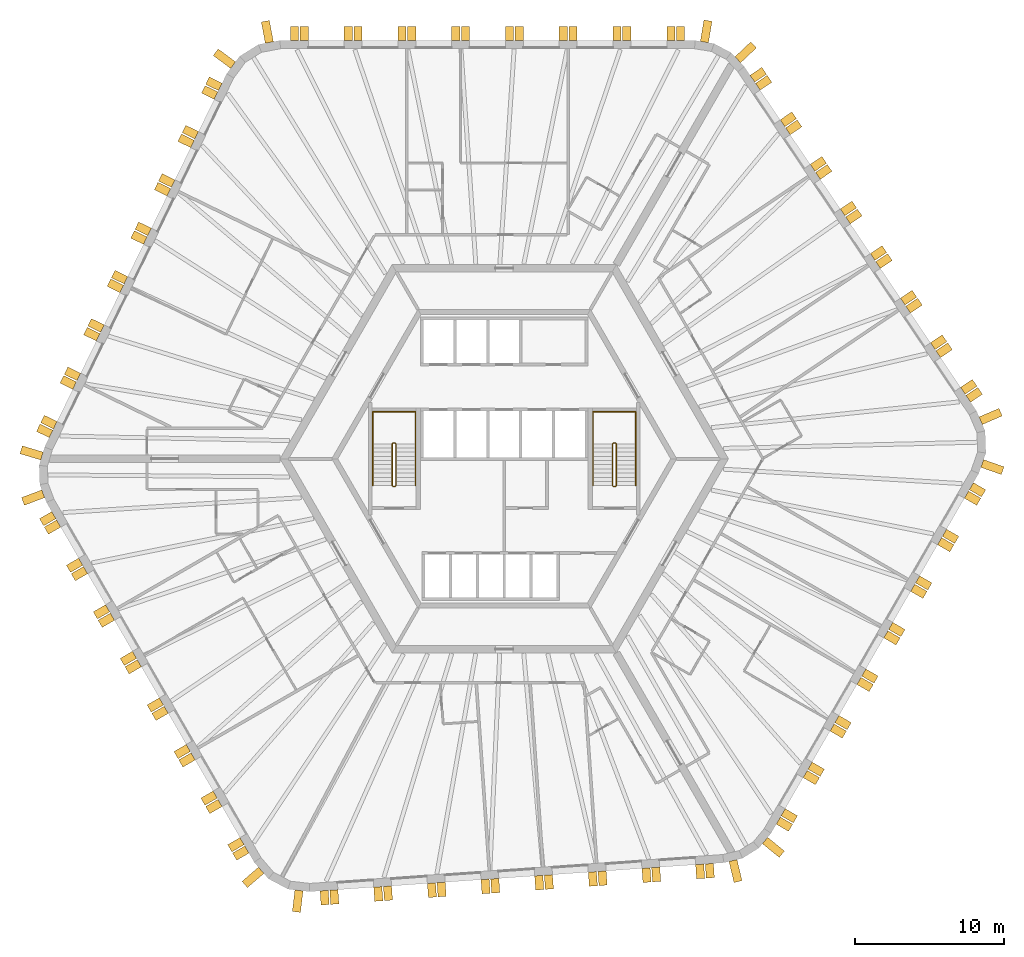
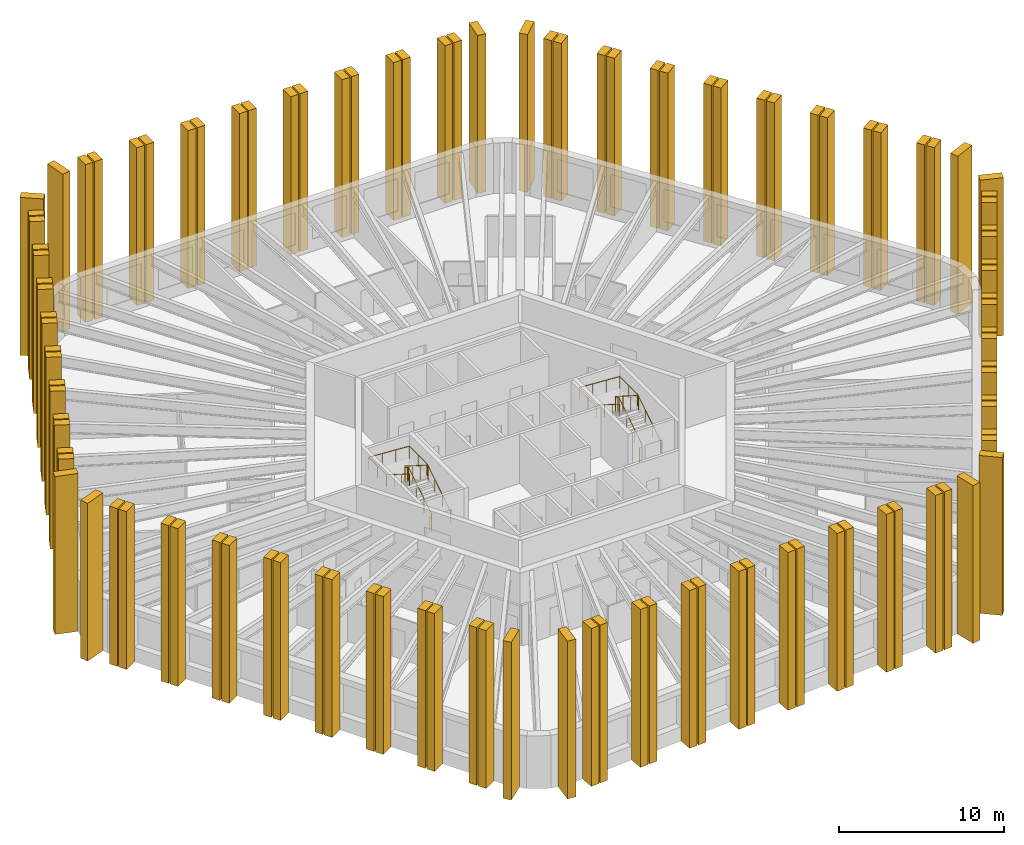
# One storey, part 10 of 10: 108 shading devices, 4 railings.
"""IFC4 building model written with IfcOpenShell, lengths in metres."""

from ifc_helpers import new_model, si_unit, direction, frame, origin, origin_2d, place, context, subcontext, project, spatial, polyline, circle, outline, extrude, material, layer, layer_set, type_object, element, save


model = new_model("IFC4")

# Units and contexts
model_context = context("Model", 3, precision=1e-05, world=origin(), true_north=direction((0.0, 1.0)))
body_context = subcontext(model_context, "Body", "Model", "MODEL_VIEW")
ifc_project = project(units=[si_unit("LENGTHUNIT", "METRE"), si_unit("AREAUNIT", "SQUARE_METRE"), si_unit("VOLUMEUNIT", "CUBIC_METRE"), si_unit("PLANEANGLEUNIT", "RADIAN"), si_unit("MASSUNIT", "GRAM", prefix="KILO")], contexts=[model_context])

# Site, building, storey
site_placement = place(None, origin())
site = spatial("IfcSite", under=ifc_project, at=site_placement, CompositionType="ELEMENT")
building_placement = place(site_placement, origin())
building = spatial("IfcBuilding", under=site, at=building_placement, Name="Tarnside Tower", CompositionType="ELEMENT")
storey_placement = place(building_placement, frame((0.0, 0.0, 195.60009765625)))
storey = spatial("IfcBuildingStorey", under=building, at=storey_placement, Name="L46", CompositionType="ELEMENT", Elevation=195.60009765625)

# Shading devices
ifc_material_1 = material(Name="Concrete C50/60 white precast", Category="concrete")
ifc_layer_1 = layer(ifc_material_1, 0.550048828125)
ifc_layer_set_1 = layer_set([ifc_layer_1], Name="Precast fin 550 x 1450")
shading_device_type_1 = type_object("IfcShadingDeviceType", Name="Precast fin 550 x 1450", PredefinedType="USERDEFINED", material=ifc_layer_set_1)
for number, where, z_axis, x_axis, name in (
    (1, (-15.725341796875, 27.86767578125, -0.150146484375), (0.982720646705, 0.18509492305, 0.0), (-0.18509492305, 0.982720646705, 0.0), "Precast fin"),
    (2, (-18.15380859375, 26.35009765625, -0.150146484375), (0.597158591707, 0.802123192752, 0.0), (-0.802123192752, 0.597158591707, 0.0), "Precast fin"),
    (3, (-30.949951171875, 0.184326171875, -0.150146484375), (0.286803232717, 0.957989512314, 0.0), (-0.957989512314, 0.286803232717, 0.0), "Precast fin"),
    (4, (-30.861572265625, -2.343017578125, -0.150146484375), (-0.352930564719, 0.935649515837, 0.0), (-0.935649515837, -0.352930564719, 0.0), "Precast fin"),
    (5, (-16.271484375, -27.55224609375, -0.150146484375), (-0.651657228826, 0.758513583345, 0.0), (-0.758513583345, -0.651657228826, 0.0), "Precast fin"),
    (6, (-13.7431640625, -28.896728515625, -0.150146484375), (-0.993238357741, 0.116092914131, 0.0), (-0.116092914131, -0.993238357741, 0.0), "Precast fin"),
    (7, (15.315185546875, -26.8955078125, -0.150146484375), (-0.973044870581, -0.230615870737, 0.0), (0.230615870737, -0.973044870581, 0.0), "Precast fin"),
    (8, (17.4599609375, -25.555419921875, -0.150146484375), (-0.633830967394, -0.773471592738, 0.0), (0.773471592738, -0.633830967394, 0.0), "Precast fin"),
    (9, (31.996826171875, -0.315185546875, -0.150146484375), (-0.331063417879, -0.943608506396, 0.0), (0.943608506396, -0.331063417879, 0.0), "Precast fin"),
    (10, (31.896728515625, 2.54638671875, -0.150146484375), (0.396079766034, -0.918216106883, 0.0), (0.918216106883, 0.396079766034, 0.0), "Precast fin"),
    (11, (15.634765625, 26.711181640625, -0.150146484375), (0.686241637865, -0.727373641577, 0.0), (0.727373641577, 0.686241637865, 0.0), "Precast fin"),
    (12, (13.40185546875, 27.8984375, -0.150146484375), (0.986761532114, -0.1621779231, 0.0), (0.1621779231, 0.986761532114, 0.0), "Precast fin"),
):
    element("IfcShadingDevice", number, at=place(storey_placement, frame(where, z_axis=z_axis, x_axis=x_axis)), inside=storey, type_object=shading_device_type_1, Name=name, ObjectType="FIN", PredefinedType="USERDEFINED", context=body_context, shape_type="SweptSolid", body=[
        extrude(outline(polyline([(0.0, 0.0), (1.449951171875, 0.0), (1.449951171875, 11.699951171875), (0.0, 11.699951171875), (0.0, 0.0)])), frame((0.0, 0.0, -0.27490234375)), (0.0, 0.0, 1.0), 0.550048828125),
    ])
ifc_layer_2 = layer(ifc_material_1, 0.550048828125)
ifc_layer_set_2 = layer_set([ifc_layer_2], Name="Precast fin 550 x 950")
shading_device_type_2 = type_object("IfcShadingDeviceType", Name="Precast fin 550 x 950", PredefinedType="USERDEFINED", material=ifc_layer_set_2)
for number, where, z_axis, x_axis, name in (
    (13, (11.80712890625, 28.0, -0.150146484375), (1.0, 0.0, 0.0), (0.0, 1.0, 0.0), "Precast fin"),
    (14, (11.1572265625, 28.0, -0.150146484375), (1.0, 0.0, 0.0), (0.0, 1.0, 0.0), "Precast fin"),
    (15, (8.20703125, 28.0, -0.150146484375), (1.0, 0.0, 0.0), (0.0, 1.0, 0.0), "Precast fin"),
    (16, (7.55712890625, 28.0, -0.150146484375), (1.0, 0.0, 0.0), (0.0, 1.0, 0.0), "Precast fin"),
    (17, (4.607177734375, 28.0, -0.150146484375), (1.0, 0.0, 0.0), (0.0, 1.0, 0.0), "Precast fin"),
    (18, (3.95703125, 28.0, -0.150146484375), (1.0, 0.0, 0.0), (0.0, 1.0, 0.0), "Precast fin"),
    (19, (1.007080078125, 28.0, -0.150146484375), (1.0, 0.0, 0.0), (0.0, 1.0, 0.0), "Precast fin"),
    (20, (0.357177734375, 28.0, -0.150146484375), (1.0, 0.0, 0.0), (0.0, 1.0, 0.0), "Precast fin"),
    (21, (-2.5927734375, 28.0, -0.150146484375), (1.0, 0.0, 0.0), (0.0, 1.0, 0.0), "Precast fin"),
    (22, (-3.242919921875, 28.0, -0.150146484375), (1.0, 0.0, 0.0), (0.0, 1.0, 0.0), "Precast fin"),
    (23, (-6.19287109375, 28.0, -0.150146484375), (1.0, 0.0, 0.0), (0.0, 1.0, 0.0), "Precast fin"),
    (24, (-6.8427734375, 28.0, -0.150146484375), (1.0, 0.0, 0.0), (0.0, 1.0, 0.0), "Precast fin"),
    (25, (-9.79296875, 28.0, -0.150146484375), (1.0, 0.0, 0.0), (0.0, 1.0, 0.0), "Precast fin"),
    (26, (-10.44287109375, 28.0, -0.150146484375), (1.0, 0.0, 0.0), (0.0, 1.0, 0.0), "Precast fin"),
    (27, (-13.392822265625, 28.0, -0.150146484375), (1.0, 0.0, 0.0), (0.0, 1.0, 0.0), "Precast fin"),
    (28, (-14.04296875, 28.0, -0.150146484375), (1.0, 0.0, 0.0), (0.0, 1.0, 0.0), "Precast fin"),
    (29, (-19.01025390625, 24.896240234375, -0.150146484375), (0.438371146789, 0.898794046299, 0.0), (-0.898794046299, 0.438371146789, 0.0), "Precast fin"),
    (30, (-19.295166015625, 24.31201171875, -0.150146484375), (0.438371146789, 0.898794046299, 0.0), (-0.898794046299, 0.438371146789, 0.0), "Precast fin"),
    (31, (-20.58837890625, 21.660400390625, -0.150146484375), (0.438371146789, 0.898794046299, 0.0), (-0.898794046299, 0.438371146789, 0.0), "Precast fin"),
    (32, (-20.873291015625, 21.076171875, -0.150146484375), (0.438371146789, 0.898794046299, 0.0), (-0.898794046299, 0.438371146789, 0.0), "Precast fin"),
    (33, (-22.16650390625, 18.4248046875, -0.150146484375), (0.438371146789, 0.898794046299, 0.0), (-0.898794046299, 0.438371146789, 0.0), "Precast fin"),
    (34, (-22.451416015625, 17.840576171875, -0.150146484375), (0.438371146789, 0.898794046299, 0.0), (-0.898794046299, 0.438371146789, 0.0), "Precast fin"),
    (35, (-23.74462890625, 15.189208984375, -0.150146484375), (0.438371146789, 0.898794046299, 0.0), (-0.898794046299, 0.438371146789, 0.0), "Precast fin"),
    (36, (-24.029541015625, 14.60498046875, -0.150146484375), (0.438371146789, 0.898794046299, 0.0), (-0.898794046299, 0.438371146789, 0.0), "Precast fin"),
    (37, (-25.32275390625, 11.953369140625, -0.150146484375), (0.438371146789, 0.898794046299, 0.0), (-0.898794046299, 0.438371146789, 0.0), "Precast fin"),
    (38, (-25.607666015625, 11.369384765625, -0.150146484375), (0.438371146789, 0.898794046299, 0.0), (-0.898794046299, 0.438371146789, 0.0), "Precast fin"),
    (39, (-26.90087890625, 8.7177734375, -0.150146484375), (0.438371146789, 0.898794046299, 0.0), (-0.898794046299, 0.438371146789, 0.0), "Precast fin"),
    (40, (-27.185791015625, 8.133544921875, -0.150146484375), (0.438371146789, 0.898794046299, 0.0), (-0.898794046299, 0.438371146789, 0.0), "Precast fin"),
    (41, (-28.47900390625, 5.482177734375, -0.150146484375), (0.438371146789, 0.898794046299, 0.0), (-0.898794046299, 0.438371146789, 0.0), "Precast fin"),
    (42, (-28.763916015625, 4.89794921875, -0.150146484375), (0.438371146789, 0.898794046299, 0.0), (-0.898794046299, 0.438371146789, 0.0), "Precast fin"),
    (43, (-30.05712890625, 2.24658203125, -0.150146484375), (0.438371146789, 0.898794046299, 0.0), (-0.898794046299, 0.438371146789, 0.0), "Precast fin"),
    (44, (-30.342041015625, 1.662353515625, -0.150146484375), (0.438371146789, 0.898794046299, 0.0), (-0.898794046299, 0.438371146789, 0.0), "Precast fin"),
    (45, (-30.15234375, -3.774658203125, -0.150146484375), (-0.5, 0.866025403784, 0.0), (-0.866025403784, -0.5, 0.0), "Precast fin"),
    (46, (-29.827392578125, -4.337646484375, -0.150146484375), (-0.5, 0.866025403784, 0.0), (-0.866025403784, -0.5, 0.0), "Precast fin"),
    (47, (-28.352294921875, -6.892333984375, -0.150146484375), (-0.5, 0.866025403784, 0.0), (-0.866025403784, -0.5, 0.0), "Precast fin"),
    (48, (-28.02734375, -7.455322265625, -0.150146484375), (-0.5, 0.866025403784, 0.0), (-0.866025403784, -0.5, 0.0), "Precast fin"),
    (49, (-26.55224609375, -10.010009765625, -0.150146484375), (-0.5, 0.866025403784, 0.0), (-0.866025403784, -0.5, 0.0), "Precast fin"),
    (50, (-26.227294921875, -10.572998046875, -0.150146484375), (-0.5, 0.866025403784, 0.0), (-0.866025403784, -0.5, 0.0), "Precast fin"),
    (51, (-24.752197265625, -13.127685546875, -0.150146484375), (-0.5, 0.866025403784, 0.0), (-0.866025403784, -0.5, 0.0), "Precast fin"),
    (52, (-24.42724609375, -13.690673828125, -0.150146484375), (-0.5, 0.866025403784, 0.0), (-0.866025403784, -0.5, 0.0), "Precast fin"),
    (53, (-22.952392578125, -16.24560546875, -0.150146484375), (-0.5, 0.866025403784, 0.0), (-0.866025403784, -0.5, 0.0), "Precast fin"),
    (54, (-22.627197265625, -16.808349609375, -0.150146484375), (-0.5, 0.866025403784, 0.0), (-0.866025403784, -0.5, 0.0), "Precast fin"),
    (55, (-21.15234375, -19.36328125, -0.150146484375), (-0.5, 0.866025403784, 0.0), (-0.866025403784, -0.5, 0.0), "Precast fin"),
    (56, (-20.827392578125, -19.926025390625, -0.150146484375), (-0.5, 0.866025403784, 0.0), (-0.866025403784, -0.5, 0.0), "Precast fin"),
    (57, (-19.352294921875, -22.48095703125, -0.150146484375), (-0.5, 0.866025403784, 0.0), (-0.866025403784, -0.5, 0.0), "Precast fin"),
    (58, (-19.02734375, -23.043701171875, -0.150146484375), (-0.5, 0.866025403784, 0.0), (-0.866025403784, -0.5, 0.0), "Precast fin"),
    (59, (-17.55224609375, -25.5986328125, -0.150146484375), (-0.5, 0.866025403784, 0.0), (-0.866025403784, -0.5, 0.0), "Precast fin"),
    (60, (-17.227294921875, -26.161376953125, -0.150146484375), (-0.5, 0.866025403784, 0.0), (-0.866025403784, -0.5, 0.0), "Precast fin"),
    (61, (-12.0556640625, -28.911376953125, -0.150146484375), (-0.99756405026, -0.069756473744, 0.0), (0.069756473744, -0.99756405026, 0.0), "Precast fin"),
    (62, (-11.4072265625, -28.865966796875, -0.150146484375), (-0.99756405026, -0.069756473744, 0.0), (0.069756473744, -0.99756405026, 0.0), "Precast fin"),
    (63, (-8.46435546875, -28.66015625, -0.150146484375), (-0.99756405026, -0.069756473744, 0.0), (0.069756473744, -0.99756405026, 0.0), "Precast fin"),
    (64, (-7.81591796875, -28.614990234375, -0.150146484375), (-0.99756405026, -0.069756473744, 0.0), (0.069756473744, -0.99756405026, 0.0), "Precast fin"),
    (65, (-4.873046875, -28.4091796875, -0.150146484375), (-0.99756405026, -0.069756473744, 0.0), (0.069756473744, -0.99756405026, 0.0), "Precast fin"),
    (66, (-4.224609375, -28.36376953125, -0.150146484375), (-0.99756405026, -0.069756473744, 0.0), (0.069756473744, -0.99756405026, 0.0), "Precast fin"),
    (67, (-1.281982421875, -28.157958984375, -0.150146484375), (-0.99756405026, -0.069756473744, 0.0), (0.069756473744, -0.99756405026, 0.0), "Precast fin"),
    (68, (-0.633544921875, -28.112548828125, -0.150146484375), (-0.99756405026, -0.069756473744, 0.0), (0.069756473744, -0.99756405026, 0.0), "Precast fin"),
    (69, (2.309326171875, -27.906982421875, -0.150146484375), (-0.99756405026, -0.069756473744, 0.0), (0.069756473744, -0.99756405026, 0.0), "Precast fin"),
    (70, (2.957763671875, -27.861572265625, -0.150146484375), (-0.99756405026, -0.069756473744, 0.0), (0.069756473744, -0.99756405026, 0.0), "Precast fin"),
    (71, (5.900634765625, -27.65576171875, -0.150146484375), (-0.99756405026, -0.069756473744, 0.0), (0.069756473744, -0.99756405026, 0.0), "Precast fin"),
    (72, (6.549072265625, -27.6103515625, -0.150146484375), (-0.99756405026, -0.069756473744, 0.0), (0.069756473744, -0.99756405026, 0.0), "Precast fin"),
    (73, (9.49169921875, -27.404541015625, -0.150146484375), (-0.99756405026, -0.069756473744, 0.0), (0.069756473744, -0.99756405026, 0.0), "Precast fin"),
    (74, (10.14013671875, -27.359375, -0.150146484375), (-0.99756405026, -0.069756473744, 0.0), (0.069756473744, -0.99756405026, 0.0), "Precast fin"),
    (75, (13.0830078125, -27.153564453125, -0.150146484375), (-0.99756405026, -0.069756473744, 0.0), (0.069756473744, -0.99756405026, 0.0), "Precast fin"),
    (76, (13.7314453125, -27.108154296875, -0.150146484375), (-0.99756405026, -0.069756473744, 0.0), (0.069756473744, -0.99756405026, 0.0), "Precast fin"),
    (77, (18.34521484375, -24.225341796875, -0.150146484375), (-0.5, -0.866025403784, 0.0), (0.866025403784, -0.5, 0.0), "Precast fin"),
    (78, (18.670166015625, -23.662353515625, -0.150146484375), (-0.5, -0.866025403784, 0.0), (0.866025403784, -0.5, 0.0), "Precast fin"),
    (79, (20.145263671875, -21.107666015625, -0.150146484375), (-0.5, -0.866025403784, 0.0), (0.866025403784, -0.5, 0.0), "Precast fin"),
    (80, (20.47021484375, -20.544677734375, -0.150146484375), (-0.5, -0.866025403784, 0.0), (0.866025403784, -0.5, 0.0), "Precast fin"),
    (81, (21.945068359375, -17.989990234375, -0.150146484375), (-0.5, -0.866025403784, 0.0), (0.866025403784, -0.5, 0.0), "Precast fin"),
    (82, (22.270263671875, -17.427001953125, -0.150146484375), (-0.5, -0.866025403784, 0.0), (0.866025403784, -0.5, 0.0), "Precast fin"),
    (83, (23.7451171875, -14.872314453125, -0.150146484375), (-0.5, -0.866025403784, 0.0), (0.866025403784, -0.5, 0.0), "Precast fin"),
    (84, (24.070068359375, -14.309326171875, -0.150146484375), (-0.5, -0.866025403784, 0.0), (0.866025403784, -0.5, 0.0), "Precast fin"),
    (85, (25.545166015625, -11.75439453125, -0.150146484375), (-0.5, -0.866025403784, 0.0), (0.866025403784, -0.5, 0.0), "Precast fin"),
    (86, (25.8701171875, -11.191650390625, -0.150146484375), (-0.5, -0.866025403784, 0.0), (0.866025403784, -0.5, 0.0), "Precast fin"),
    (87, (27.34521484375, -8.63671875, -0.150146484375), (-0.5, -0.866025403784, 0.0), (0.866025403784, -0.5, 0.0), "Precast fin"),
    (88, (27.670166015625, -8.073974609375, -0.150146484375), (-0.5, -0.866025403784, 0.0), (0.866025403784, -0.5, 0.0), "Precast fin"),
    (89, (29.145263671875, -5.51904296875, -0.150146484375), (-0.5, -0.866025403784, 0.0), (0.866025403784, -0.5, 0.0), "Precast fin"),
    (90, (29.47021484375, -4.956298828125, -0.150146484375), (-0.5, -0.866025403784, 0.0), (0.866025403784, -0.5, 0.0), "Precast fin"),
    (91, (30.945068359375, -2.4013671875, -0.150146484375), (-0.5, -0.866025403784, 0.0), (0.866025403784, -0.5, 0.0), "Precast fin"),
    (92, (31.270263671875, -1.838623046875, -0.150146484375), (-0.5, -0.866025403784, 0.0), (0.866025403784, -0.5, 0.0), "Precast fin"),
    (93, (31.065673828125, 4.01513671875, -0.150146484375), (0.559192903471, -0.829037572555, 0.0), (0.829037572555, 0.559192903471, 0.0), "Precast fin"),
    (94, (30.702392578125, 4.55419921875, -0.150146484375), (0.559192903471, -0.829037572555, 0.0), (0.829037572555, 0.559192903471, 0.0), "Precast fin"),
    (95, (29.052734375, 6.999755859375, -0.150146484375), (0.559192903471, -0.829037572555, 0.0), (0.829037572555, 0.559192903471, 0.0), "Precast fin"),
    (96, (28.689208984375, 7.53857421875, -0.150146484375), (0.559192903471, -0.829037572555, 0.0), (0.829037572555, 0.559192903471, 0.0), "Precast fin"),
    (97, (27.03955078125, 9.984375, -0.150146484375), (0.559192903471, -0.829037572555, 0.0), (0.829037572555, 0.559192903471, 0.0), "Precast fin"),
    (98, (26.676025390625, 10.523193359375, -0.150146484375), (0.559192903471, -0.829037572555, 0.0), (0.829037572555, 0.559192903471, 0.0), "Precast fin"),
    (99, (25.026611328125, 12.96875, -0.150146484375), (0.559192903471, -0.829037572555, 0.0), (0.829037572555, 0.559192903471, 0.0), "Precast fin"),
    (100, (24.6630859375, 13.5078125, -0.150146484375), (0.559192903471, -0.829037572555, 0.0), (0.829037572555, 0.559192903471, 0.0), "Precast fin"),
    (101, (23.013427734375, 15.953369140625, -0.150146484375), (0.559192903471, -0.829037572555, 0.0), (0.829037572555, 0.559192903471, 0.0), "Precast fin"),
    (102, (22.64990234375, 16.4921875, -0.150146484375), (0.559192903471, -0.829037572555, 0.0), (0.829037572555, 0.559192903471, 0.0), "Precast fin"),
    (103, (21.000244140625, 18.93798828125, -0.150146484375), (0.559192903471, -0.829037572555, 0.0), (0.829037572555, 0.559192903471, 0.0), "Precast fin"),
    (104, (20.63671875, 19.476806640625, -0.150146484375), (0.559192903471, -0.829037572555, 0.0), (0.829037572555, 0.559192903471, 0.0), "Precast fin"),
    (105, (18.9873046875, 21.92236328125, -0.150146484375), (0.559192903471, -0.829037572555, 0.0), (0.829037572555, 0.559192903471, 0.0), "Precast fin"),
    (106, (18.623779296875, 22.46142578125, -0.150146484375), (0.559192903471, -0.829037572555, 0.0), (0.829037572555, 0.559192903471, 0.0), "Precast fin"),
    (107, (16.97412109375, 24.906982421875, -0.150146484375), (0.559192903471, -0.829037572555, 0.0), (0.829037572555, 0.559192903471, 0.0), "Precast fin"),
    (108, (16.610595703125, 25.44580078125, -0.150146484375), (0.559192903471, -0.829037572555, 0.0), (0.829037572555, 0.559192903471, 0.0), "Precast fin"),
):
    element("IfcShadingDevice", number, at=place(storey_placement, frame(where, z_axis=z_axis, x_axis=x_axis)), inside=storey, type_object=shading_device_type_2, Name=name, ObjectType="FIN", PredefinedType="USERDEFINED", context=body_context, shape_type="SweptSolid", body=[
        extrude(outline(polyline([(0.0, 0.0), (0.949951171875, 0.0), (0.949951171875, 11.699951171875), (0.0, 11.699951171875), (0.0, 0.0)])), frame((0.0, 0.0, -0.27490234375)), (0.0, 0.0, 1.0), 0.550048828125),
    ])

# Railings
ifc_material_2 = material(Name="Stainless steel", Category="steel")
railing_type_1 = type_object("IfcRailingType", Name="Stair guard 1100", PredefinedType="GUARDRAIL", material=ifc_material_2)
railing_1_placement = place(storey_placement, frame((7.300048828125, -1.85009765625, 0.0)))
element("IfcRailing", 109, at=railing_1_placement, inside=storey, type_object=railing_type_1, Name="L46 ST1 stair guard 1", PredefinedType="GUARDRAIL", context=body_context, shape_type="SweptSolid", body=[
    extrude(circle(Radius=0.02392578125, at=origin_2d()), frame((0.0, 0.0, 1.076171875), z_axis=(1.0, 0.0, 0.0), x_axis=(0.0, 1.0, 0.0)), (0.0, 0.0, 1.0), 0.14990234375),
    extrude(circle(Radius=0.02392578125, at=origin_2d()), frame((0.14990234375, 0.0, 1.076171875), z_axis=(0.262233686654, 0.262233686654, 0.928691007369), x_axis=(-0.707106781187, 0.707106781187, 0.0)), (0.0, 0.0, 1.0), 0.19091796875),
    extrude(circle(Radius=0.02392578125, at=origin_2d()), frame((0.199951171875, 0.050048828125, 1.25341796875), z_axis=(0.0, 0.844908973607, 0.534910110503), x_axis=(-1.0, 0.0, 0.0)), (0.0, 0.0, 1.0), 3.31396484375),
    extrude(circle(Radius=0.02392578125, at=origin_2d()), frame((0.199951171875, 2.85009765625, 3.02587890625), z_axis=(-0.707106781187, 0.707106781187, 0.0), x_axis=(-0.707106781187, -0.707106781187, 0.0)), (0.0, 0.0, 1.0), 0.07080078125),
    extrude(circle(Radius=0.02392578125, at=origin_2d()), frame((0.14990234375, 2.900146484375, 3.02587890625), z_axis=(-1.0, 0.0, 0.0), x_axis=(0.0, -1.0, 0.0)), (0.0, 0.0, 1.0), 0.14990234375),
    extrude(circle(Radius=0.02392578125, at=origin_2d()), frame((0.0, 2.900146484375, 3.02587890625), z_axis=(-0.262233686654, -0.262233686654, 0.928691007369), x_axis=(0.707106781187, -0.707106781187, 0.0)), (0.0, 0.0, 1.0), 0.19091796875),
    extrude(circle(Radius=0.02392578125, at=origin_2d()), frame((-0.050048828125, 2.85009765625, 3.203125), z_axis=(0.0, -0.844908973607, 0.534910110503), x_axis=(1.0, 0.0, 0.0)), (0.0, 0.0, 1.0), 3.31396484375),
    extrude(circle(Radius=0.02099609375, at=origin_2d()), origin(), (0.0, 0.0, 1.0), 1.052001953125),
    extrude(circle(Radius=0.02099609375, at=origin_2d()), frame((0.14990234375, 0.0, 0.0)), (0.0, 0.0, 1.0), 1.052001953125),
    extrude(circle(Radius=0.02099609375, at=origin_2d()), frame((0.199951171875, 0.050048828125, 0.17724609375)), (0.0, 0.0, 1.0), 1.052001953125),
    extrude(circle(Radius=0.02099609375, at=origin_2d()), frame((0.199951171875, 0.9833984375, 0.76806640625)), (0.0, 0.0, 1.0), 1.052001953125),
    extrude(circle(Radius=0.02099609375, at=origin_2d()), frame((0.199951171875, 1.916748046875, 1.359130859375)), (0.0, 0.0, 1.0), 1.052001953125),
    extrude(circle(Radius=0.02099609375, at=origin_2d()), frame((0.199951171875, 2.85009765625, 1.949951171875)), (0.0, 0.0, 1.0), 1.052001953125),
    extrude(circle(Radius=0.02099609375, at=origin_2d()), frame((0.14990234375, 2.900146484375, 1.949951171875)), (0.0, 0.0, 1.0), 1.052001953125),
    extrude(circle(Radius=0.02099609375, at=origin_2d()), frame((0.0, 2.900146484375, 1.949951171875)), (0.0, 0.0, 1.0), 1.052001953125),
    extrude(circle(Radius=0.02099609375, at=origin_2d()), frame((-0.050048828125, 2.85009765625, 2.127197265625)), (0.0, 0.0, 1.0), 1.052001953125),
    extrude(circle(Radius=0.02099609375, at=origin_2d()), frame((-0.050048828125, 1.916748046875, 2.718017578125)), (0.0, 0.0, 1.0), 1.052001953125),
    extrude(circle(Radius=0.02099609375, at=origin_2d()), frame((-0.050048828125, 0.9833984375, 3.30908203125)), (0.0, 0.0, 1.0), 1.052001953125),
    extrude(circle(Radius=0.02099609375, at=origin_2d()), frame((-0.050048828125, 0.050048828125, 3.89990234375)), (0.0, 0.0, 1.0), 1.052001953125),
])
railing_2_placement = place(storey_placement, frame((-7.449951171875, -1.85009765625, 0.0)))
element("IfcRailing", 110, at=railing_2_placement, inside=storey, type_object=railing_type_1, Name="L46 ST2 stair guard 1", PredefinedType="GUARDRAIL", context=body_context, shape_type="SweptSolid", body=[
    extrude(circle(Radius=0.02392578125, at=origin_2d()), frame((0.0, 0.0, 1.076171875), z_axis=(1.0, 0.0, 0.0), x_axis=(0.0, 1.0, 0.0)), (0.0, 0.0, 1.0), 0.14990234375),
    extrude(circle(Radius=0.02392578125, at=origin_2d()), frame((0.14990234375, 0.0, 1.076171875), z_axis=(0.262233686654, 0.262233686654, 0.928691007369), x_axis=(-0.707106781187, 0.707106781187, 0.0)), (0.0, 0.0, 1.0), 0.19091796875),
    extrude(circle(Radius=0.02392578125, at=origin_2d()), frame((0.199951171875, 0.050048828125, 1.25341796875), z_axis=(0.0, 0.844908973607, 0.534910110503), x_axis=(-1.0, 0.0, 0.0)), (0.0, 0.0, 1.0), 3.31396484375),
    extrude(circle(Radius=0.02392578125, at=origin_2d()), frame((0.199951171875, 2.85009765625, 3.02587890625), z_axis=(-0.707106781187, 0.707106781187, 0.0), x_axis=(-0.707106781187, -0.707106781187, 0.0)), (0.0, 0.0, 1.0), 0.07080078125),
    extrude(circle(Radius=0.02392578125, at=origin_2d()), frame((0.14990234375, 2.900146484375, 3.02587890625), z_axis=(-1.0, 0.0, 0.0), x_axis=(0.0, -1.0, 0.0)), (0.0, 0.0, 1.0), 0.14990234375),
    extrude(circle(Radius=0.02392578125, at=origin_2d()), frame((0.0, 2.900146484375, 3.02587890625), z_axis=(-0.262233686654, -0.262233686654, 0.928691007369), x_axis=(0.707106781187, -0.707106781187, 0.0)), (0.0, 0.0, 1.0), 0.19091796875),
    extrude(circle(Radius=0.02392578125, at=origin_2d()), frame((-0.050048828125, 2.85009765625, 3.203125), z_axis=(0.0, -0.844908973607, 0.534910110503), x_axis=(1.0, 0.0, 0.0)), (0.0, 0.0, 1.0), 3.31396484375),
    extrude(circle(Radius=0.02099609375, at=origin_2d()), origin(), (0.0, 0.0, 1.0), 1.052001953125),
    extrude(circle(Radius=0.02099609375, at=origin_2d()), frame((0.14990234375, 0.0, 0.0)), (0.0, 0.0, 1.0), 1.052001953125),
    extrude(circle(Radius=0.02099609375, at=origin_2d()), frame((0.199951171875, 0.050048828125, 0.17724609375)), (0.0, 0.0, 1.0), 1.052001953125),
    extrude(circle(Radius=0.02099609375, at=origin_2d()), frame((0.199951171875, 0.9833984375, 0.76806640625)), (0.0, 0.0, 1.0), 1.052001953125),
    extrude(circle(Radius=0.02099609375, at=origin_2d()), frame((0.199951171875, 1.916748046875, 1.359130859375)), (0.0, 0.0, 1.0), 1.052001953125),
    extrude(circle(Radius=0.02099609375, at=origin_2d()), frame((0.199951171875, 2.85009765625, 1.949951171875)), (0.0, 0.0, 1.0), 1.052001953125),
    extrude(circle(Radius=0.02099609375, at=origin_2d()), frame((0.14990234375, 2.900146484375, 1.949951171875)), (0.0, 0.0, 1.0), 1.052001953125),
    extrude(circle(Radius=0.02099609375, at=origin_2d()), frame((0.0, 2.900146484375, 1.949951171875)), (0.0, 0.0, 1.0), 1.052001953125),
    extrude(circle(Radius=0.02099609375, at=origin_2d()), frame((-0.050048828125, 2.85009765625, 2.127197265625)), (0.0, 0.0, 1.0), 1.052001953125),
    extrude(circle(Radius=0.02099609375, at=origin_2d()), frame((-0.050048828125, 1.916748046875, 2.718017578125)), (0.0, 0.0, 1.0), 1.052001953125),
    extrude(circle(Radius=0.02099609375, at=origin_2d()), frame((-0.050048828125, 0.9833984375, 3.30908203125)), (0.0, 0.0, 1.0), 1.052001953125),
    extrude(circle(Radius=0.02099609375, at=origin_2d()), frame((-0.050048828125, 0.050048828125, 3.89990234375)), (0.0, 0.0, 1.0), 1.052001953125),
])
railing_type_2 = type_object("IfcRailingType", Name="Stair handrail 900", PredefinedType="HANDRAIL", material=ifc_material_2)
railing_3_placement = place(storey_placement, frame((8.800048828125, -1.800048828125, 0.17724609375)))
element("IfcRailing", 111, at=railing_3_placement, inside=storey, type_object=railing_type_2, Name="L46 ST1 stair handrail 1", PredefinedType="HANDRAIL", context=body_context, shape_type="SweptSolid", body=[
    extrude(circle(Radius=0.02392578125, at=origin_2d()), frame((0.0, 0.0, 0.8857421875), z_axis=(0.0, 0.844908973607, 0.534910110503), x_axis=(-1.0, 0.0, 0.0)), (0.0, 0.0, 1.0), 3.31396484375),
    extrude(circle(Radius=0.02392578125, at=origin_2d()), frame((0.0, 2.800048828125, 2.65869140625), z_axis=(0.0, 1.0, 0.0), x_axis=(-1.0, 0.0, 0.0)), (0.0, 0.0, 1.0), 2.14990234375),
    extrude(circle(Radius=0.02392578125, at=origin_2d()), frame((0.0, 4.949951171875, 2.65869140625), z_axis=(-0.998071825391, 0.0, 0.06206956872), x_axis=(0.0, -1.0, 0.0)), (0.0, 0.0, 1.0), 2.855712890625),
    extrude(circle(Radius=0.02392578125, at=origin_2d()), frame((-2.85009765625, 4.949951171875, 2.8359375), z_axis=(0.0, -1.0, 0.0), x_axis=(1.0, 0.0, 0.0)), (0.0, 0.0, 1.0), 2.14990234375),
    extrude(circle(Radius=0.02392578125, at=origin_2d()), frame((-2.85009765625, 2.800048828125, 2.8359375), z_axis=(0.0, -0.844908973607, 0.534910110503), x_axis=(1.0, 0.0, 0.0)), (0.0, 0.0, 1.0), 3.31396484375),
    extrude(circle(Radius=0.02099609375, at=origin_2d()), origin(), (0.0, 0.0, 1.0), 0.86181640625),
    extrude(circle(Radius=0.02099609375, at=origin_2d()), frame((0.0, 0.933349609375, 0.5908203125)), (0.0, 0.0, 1.0), 0.86181640625),
    extrude(circle(Radius=0.02099609375, at=origin_2d()), frame((0.0, 1.86669921875, 1.181884765625)), (0.0, 0.0, 1.0), 0.86181640625),
    extrude(circle(Radius=0.02099609375, at=origin_2d()), frame((0.0, 2.800048828125, 1.772705078125)), (0.0, 0.0, 1.0), 0.86181640625),
    extrude(circle(Radius=0.02099609375, at=origin_2d()), frame((0.0, 3.875, 1.772705078125)), (0.0, 0.0, 1.0), 0.86181640625),
    extrude(circle(Radius=0.02099609375, at=origin_2d()), frame((0.0, 4.949951171875, 1.772705078125)), (0.0, 0.0, 1.0), 0.86181640625),
    extrude(circle(Radius=0.02099609375, at=origin_2d()), frame((-0.949951171875, 4.949951171875, 1.831787109375)), (0.0, 0.0, 1.0), 0.86181640625),
    extrude(circle(Radius=0.02099609375, at=origin_2d()), frame((-1.900146484375, 4.949951171875, 1.890869140625)), (0.0, 0.0, 1.0), 0.86181640625),
    extrude(circle(Radius=0.02099609375, at=origin_2d()), frame((-2.85009765625, 4.949951171875, 1.949951171875)), (0.0, 0.0, 1.0), 0.86181640625),
    extrude(circle(Radius=0.02099609375, at=origin_2d()), frame((-2.85009765625, 3.875, 1.949951171875)), (0.0, 0.0, 1.0), 0.86181640625),
    extrude(circle(Radius=0.02099609375, at=origin_2d()), frame((-2.85009765625, 2.800048828125, 1.949951171875)), (0.0, 0.0, 1.0), 0.86181640625),
    extrude(circle(Radius=0.02099609375, at=origin_2d()), frame((-2.85009765625, 1.86669921875, 2.540771484375)), (0.0, 0.0, 1.0), 0.86181640625),
    extrude(circle(Radius=0.02099609375, at=origin_2d()), frame((-2.85009765625, 0.933349609375, 3.1318359375)), (0.0, 0.0, 1.0), 0.86181640625),
    extrude(circle(Radius=0.02099609375, at=origin_2d()), frame((-2.85009765625, 0.0, 3.72265625)), (0.0, 0.0, 1.0), 0.86181640625),
])
railing_4_placement = place(storey_placement, frame((-5.949951171875, -1.800048828125, 0.17724609375)))
element("IfcRailing", 112, at=railing_4_placement, inside=storey, type_object=railing_type_2, Name="L46 ST2 stair handrail 1", PredefinedType="HANDRAIL", context=body_context, shape_type="SweptSolid", body=[
    extrude(circle(Radius=0.02392578125, at=origin_2d()), frame((0.0, 0.0, 0.8857421875), z_axis=(0.0, 0.844908973607, 0.534910110503), x_axis=(-1.0, 0.0, 0.0)), (0.0, 0.0, 1.0), 3.31396484375),
    extrude(circle(Radius=0.02392578125, at=origin_2d()), frame((0.0, 2.800048828125, 2.65869140625), z_axis=(0.0, 1.0, 0.0), x_axis=(-1.0, 0.0, 0.0)), (0.0, 0.0, 1.0), 2.14990234375),
    extrude(circle(Radius=0.02392578125, at=origin_2d()), frame((0.0, 4.949951171875, 2.65869140625), z_axis=(-0.998071825391, 0.0, 0.06206956872), x_axis=(0.0, -1.0, 0.0)), (0.0, 0.0, 1.0), 2.855712890625),
    extrude(circle(Radius=0.02392578125, at=origin_2d()), frame((-2.85009765625, 4.949951171875, 2.8359375), z_axis=(0.0, -1.0, 0.0), x_axis=(1.0, 0.0, 0.0)), (0.0, 0.0, 1.0), 2.14990234375),
    extrude(circle(Radius=0.02392578125, at=origin_2d()), frame((-2.85009765625, 2.800048828125, 2.8359375), z_axis=(0.0, -0.844908973607, 0.534910110503), x_axis=(1.0, 0.0, 0.0)), (0.0, 0.0, 1.0), 3.31396484375),
    extrude(circle(Radius=0.02099609375, at=origin_2d()), origin(), (0.0, 0.0, 1.0), 0.86181640625),
    extrude(circle(Radius=0.02099609375, at=origin_2d()), frame((0.0, 0.933349609375, 0.5908203125)), (0.0, 0.0, 1.0), 0.86181640625),
    extrude(circle(Radius=0.02099609375, at=origin_2d()), frame((0.0, 1.86669921875, 1.181884765625)), (0.0, 0.0, 1.0), 0.86181640625),
    extrude(circle(Radius=0.02099609375, at=origin_2d()), frame((0.0, 2.800048828125, 1.772705078125)), (0.0, 0.0, 1.0), 0.86181640625),
    extrude(circle(Radius=0.02099609375, at=origin_2d()), frame((0.0, 3.875, 1.772705078125)), (0.0, 0.0, 1.0), 0.86181640625),
    extrude(circle(Radius=0.02099609375, at=origin_2d()), frame((0.0, 4.949951171875, 1.772705078125)), (0.0, 0.0, 1.0), 0.86181640625),
    extrude(circle(Radius=0.02099609375, at=origin_2d()), frame((-0.949951171875, 4.949951171875, 1.831787109375)), (0.0, 0.0, 1.0), 0.86181640625),
    extrude(circle(Radius=0.02099609375, at=origin_2d()), frame((-1.900146484375, 4.949951171875, 1.890869140625)), (0.0, 0.0, 1.0), 0.86181640625),
    extrude(circle(Radius=0.02099609375, at=origin_2d()), frame((-2.85009765625, 4.949951171875, 1.949951171875)), (0.0, 0.0, 1.0), 0.86181640625),
    extrude(circle(Radius=0.02099609375, at=origin_2d()), frame((-2.85009765625, 3.875, 1.949951171875)), (0.0, 0.0, 1.0), 0.86181640625),
    extrude(circle(Radius=0.02099609375, at=origin_2d()), frame((-2.85009765625, 2.800048828125, 1.949951171875)), (0.0, 0.0, 1.0), 0.86181640625),
    extrude(circle(Radius=0.02099609375, at=origin_2d()), frame((-2.85009765625, 1.86669921875, 2.540771484375)), (0.0, 0.0, 1.0), 0.86181640625),
    extrude(circle(Radius=0.02099609375, at=origin_2d()), frame((-2.85009765625, 0.933349609375, 3.1318359375)), (0.0, 0.0, 1.0), 0.86181640625),
    extrude(circle(Radius=0.02099609375, at=origin_2d()), frame((-2.85009765625, 0.0, 3.72265625)), (0.0, 0.0, 1.0), 0.86181640625),
])

save(model, "model.ifc")
